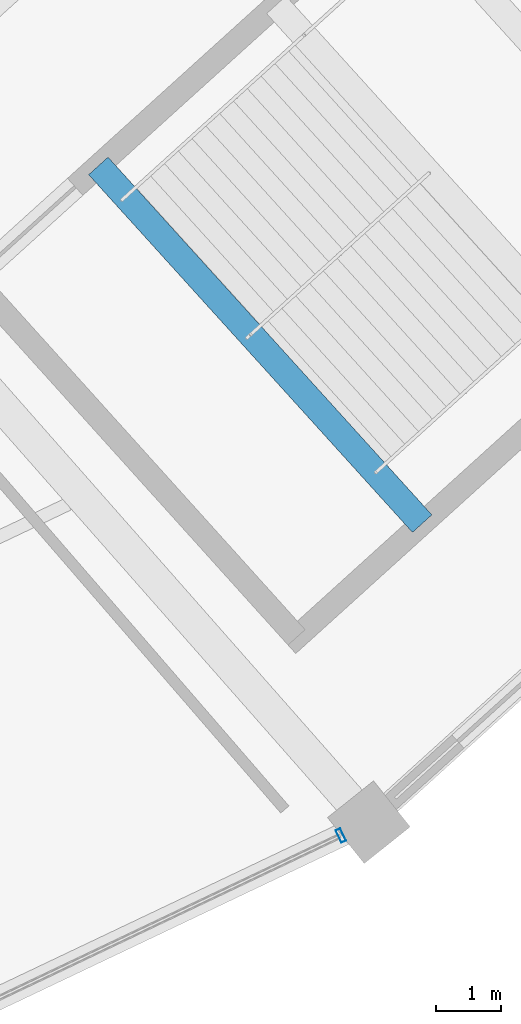
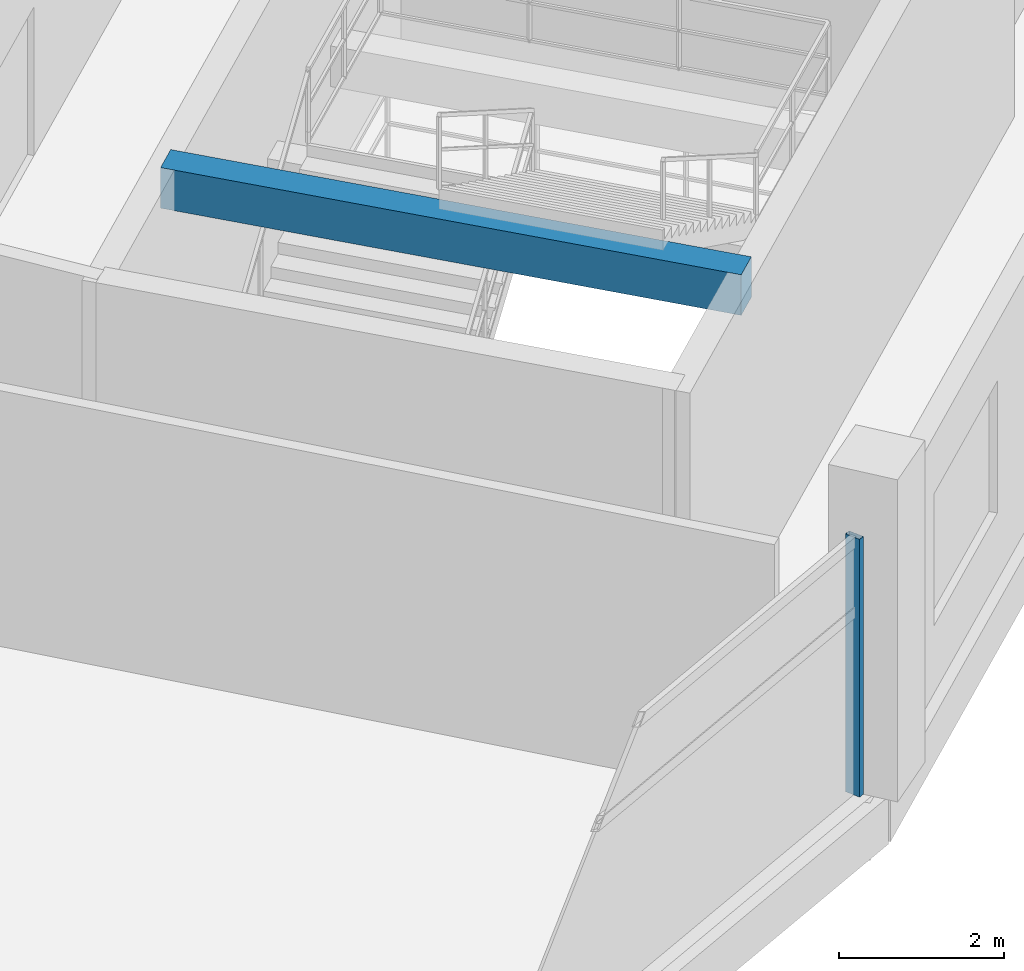
# One storey, part 57 of 171: 1 beam, 1 member, 1 element without a shape of its own.
"""IFC4 building model written with IfcOpenShell, lengths in metres."""

from ifc_helpers import new_model, si_unit, direction, frame, origin, origin_2d, place, context, subcontext, project, spatial, rectangle, hollow_rectangle, extrude, material, layer, layer_set, material_profile, profile_set, type_object, element, aggregate, save


model = new_model("IFC4")

# Units and contexts
model_context = context("Model", 3, precision=1e-05, world=origin(), true_north=direction((0.0, 1.0)))
body_context = subcontext(model_context, "Body", "Model", "MODEL_VIEW")
ifc_project = project(units=[si_unit("LENGTHUNIT", "METRE"), si_unit("AREAUNIT", "SQUARE_METRE"), si_unit("VOLUMEUNIT", "CUBIC_METRE"), si_unit("PLANEANGLEUNIT", "RADIAN"), si_unit("MASSUNIT", "GRAM", prefix="KILO")], contexts=[model_context])

# Site, building, storey
site_placement = place(None, origin())
site = spatial("IfcSite", under=ifc_project, at=site_placement, CompositionType="ELEMENT")
building_placement = place(site_placement, origin())
building = spatial("IfcBuilding", under=site, at=building_placement, Name="Kazemori Nagisa Stadium", CompositionType="ELEMENT")
storey_placement = place(building_placement, frame((0.0, 0.0, 15.639892578125)))
storey = spatial("IfcBuildingStorey", under=building, at=storey_placement, Name="L03", CompositionType="ELEMENT", Elevation=15.639892578125)

# Beam
ifc_material_1 = material(Name="Concrete C40/50 (Fc42)", Category="concrete")
ifc_material_profile_1 = material_profile(ifc_material_1, rectangle(XDim=0.39990234375, YDim=0.60009765625, at=origin_2d()), Name="RC-BM-400x600")
ifc_profile_set_1 = profile_set([ifc_material_profile_1], Name="Concrete C40/50 (Fc42)")
beam_type = type_object("IfcBeamType", Name="Beam_BG-LND400X600", PredefinedType="BEAM", material=ifc_profile_set_1)
beam_placement = place(storey_placement, frame((181.456787109375, 40.98681640625, 4.16015625), z_axis=(0.671113236271, -0.74135485707, 0.0), x_axis=(0.74135485707, 0.671113236271, 0.0)))
element("IfcBeam", 1, at=beam_placement, inside=storey, type_object=beam_type, Name="Core stair arrival header girder ST04-L03", PredefinedType="BEAM", context=body_context, shape_type="SweptSolid", body=[
    extrude(rectangle(XDim=0.39990234375, YDim=0.60009765625, at=origin_2d()), origin(), (0.0, 0.0, 1.0), 7.385986328125),
])

# Curtain wall, member
ifc_material_2 = material(Name="Anodised aluminium 6063-T5", Category="aluminium")
ifc_layer = layer(ifc_material_2, 0.2099609375, Name="Anodised aluminium 6063-T5", Category="aluminium")
ifc_layer_set = layer_set([ifc_layer], Name="Anodised aluminium 6063-T5")
curtain_wall_type = type_object("IfcCurtainWallType", Name="CW_L03R3_105", PredefinedType="USERDEFINED", material=ifc_layer_set)
curtain_wall_placement = place(storey_placement, origin())
curtain_wall = element("IfcCurtainWall", 2, at=curtain_wall_placement, inside=storey, type_object=curtain_wall_type, Name="Unitised curtain wall CW-L03R3-105 L03", ObjectType="UNITISED CURTAIN WALL", PredefinedType="USERDEFINED")
ifc_material_3 = material(Name="Aluminium 6063-T5 anodised", Category="aluminium")
ifc_material_profile_2 = material_profile(ifc_material_3, hollow_rectangle(XDim=0.080078125, YDim=0.2099609375, WallThickness=0.0048828125, at=origin_2d()), Name="ALU-MULL-80x210x5")
ifc_profile_set_2 = profile_set([ifc_material_profile_2], Name="Aluminium 6063-T5 anodised")
member_type = type_object("IfcMemberType", Name="Mullion_M02", PredefinedType="MULLION", material=ifc_profile_set_2)
member_placement = place(storey_placement, frame((185.1689453125, 30.737060546875, 0.0), z_axis=(0.0, 0.0, 1.0), x_axis=(0.903215892654, 0.429186499388, 0.0)))
member = element("IfcMember", 3, at=member_placement, type_object=member_type, Name="Curtain wall mullion CW-L03R3-105-M4", PredefinedType="MULLION", context=body_context, shape_type="SweptSolid", body=[
    extrude(hollow_rectangle(XDim=0.080078125, YDim=0.2099609375, WallThickness=0.0048828125, at=origin_2d()), origin(), (0.0, 0.0, 1.0), 3.81005859375),
])
aggregate(curtain_wall, [member])

save(model, "model.ifc")
